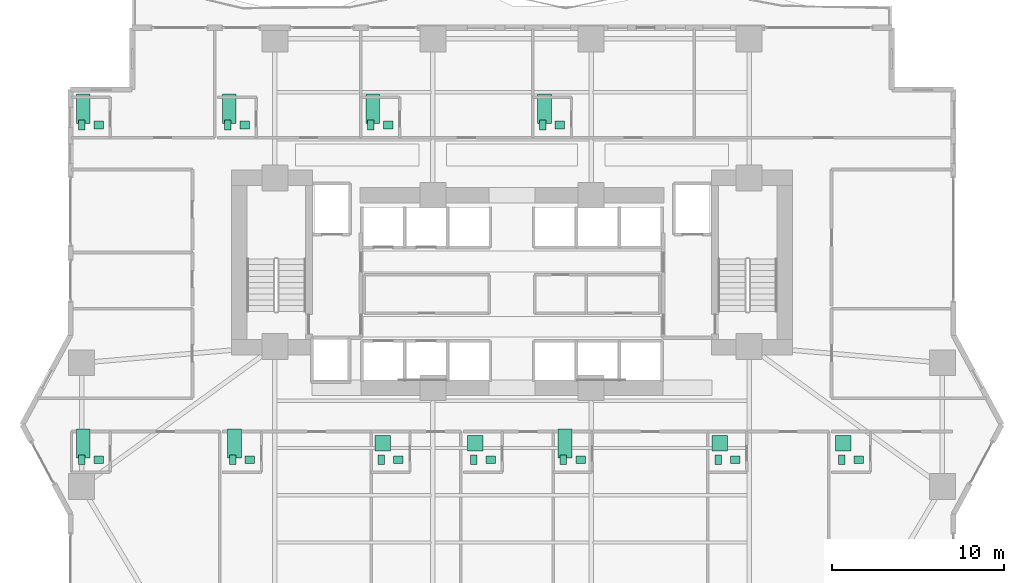
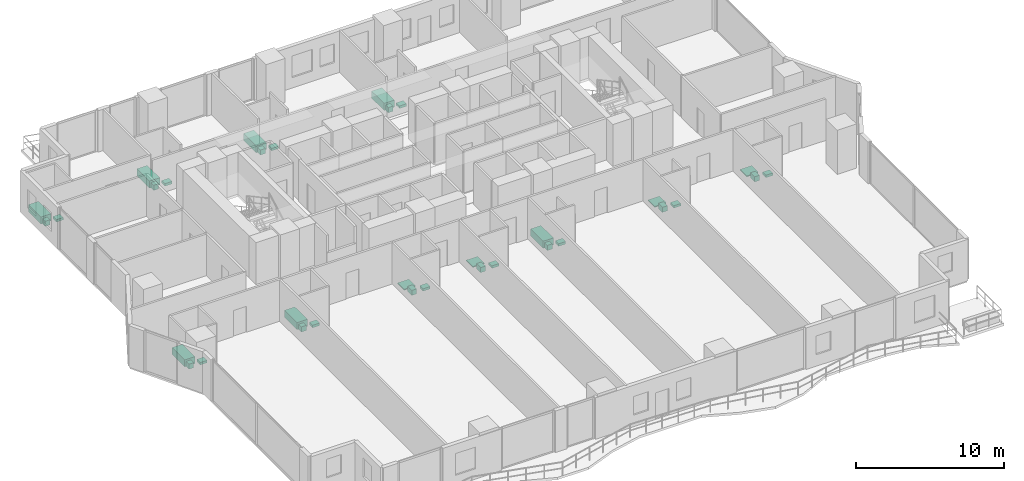
# One storey, part 29 of 29: 33 sanitary terminals.
"""IFC4 building model written with IfcOpenShell, lengths in metres."""

from ifc_helpers import new_model, si_unit, direction, frame, origin, origin_2d, place, context, subcontext, project, spatial, rectangle, extrude, material, type_object, element, save


model = new_model("IFC4")

# Units and contexts
model_context = context("Model", 3, precision=1e-05, world=origin(), true_north=direction((0.0, 1.0)))
body_context = subcontext(model_context, "Body", "Model", "MODEL_VIEW")
ifc_project = project(units=[si_unit("LENGTHUNIT", "METRE"), si_unit("AREAUNIT", "SQUARE_METRE"), si_unit("VOLUMEUNIT", "CUBIC_METRE"), si_unit("PLANEANGLEUNIT", "RADIAN"), si_unit("MASSUNIT", "GRAM", prefix="KILO")], contexts=[model_context])

# Site, building, storey
site_placement = place(None, origin())
site = spatial("IfcSite", under=ifc_project, at=site_placement, CompositionType="ELEMENT")
building_placement = place(site_placement, origin())
building = spatial("IfcBuilding", under=site, at=building_placement, Name="Zuhayl Quay Hotel", CompositionType="ELEMENT")
storey_placement = place(building_placement, frame((0.0, 0.0, 45.85009765625)))
storey = spatial("IfcBuildingStorey", under=building, at=storey_placement, Name="L10", CompositionType="ELEMENT", Elevation=45.85009765625)

# Sanitary terminals
ifc_material = material(Name="Vitreous Porcelain Sanitaryware")
sanitary_terminal_type_1 = type_object("IfcSanitaryTerminalType", Name="SAN_BASIN", PredefinedType="WASHHANDBASIN", material=ifc_material)
for number, where, z_axis, x_axis, name in (
    (1, (-24.050048828125, 17.43994140625, 0.0), (0.0, 0.0, 1.0), (1.0, 0.0, 0.0), "L10 Sanitary Fixture WASHHANDBASIN"),
    (2, (-15.550048828125, 17.43994140625, 0.0), (0.0, 0.0, 1.0), (1.0, 0.0, 0.0), "L10 Sanitary Fixture WASHHANDBASIN"),
    (3, (-7.2099609375, 17.43994140625, 0.0), (0.0, 0.0, 1.0), (1.0, 0.0, 0.0), "L10 Sanitary Fixture WASHHANDBASIN"),
    (4, (2.7900390625, 17.43994140625, 0.0), (0.0, 0.0, 1.0), (1.0, 0.0, 0.0), "L10 Sanitary Fixture WASHHANDBASIN"),
    (5, (-24.050048828125, -2.0400390625, 0.0), (0.0, 0.0, 1.0), (1.0, 0.0, 0.0), "L10 Sanitary Fixture WASHHANDBASIN"),
    (6, (-15.25, -2.0400390625, 0.0), (0.0, 0.0, 1.0), (1.0, 0.0, 0.0), "L10 Sanitary Fixture WASHHANDBASIN"),
    (7, (-6.610107421875, -2.0400390625, 0.0), (0.0, 0.0, 1.0), (1.0, 0.0, 0.0), "L10 Sanitary Fixture WASHHANDBASIN"),
    (8, (-1.22998046875, -2.0400390625, 0.0), (0.0, 0.0, 1.0), (1.0, 0.0, 0.0), "L10 Sanitary Fixture WASHHANDBASIN"),
    (9, (3.989990234375, -2.0400390625, 0.0), (0.0, 0.0, 1.0), (1.0, 0.0, 0.0), "L10 Sanitary Fixture WASHHANDBASIN"),
    (10, (12.989990234375, -2.0400390625, 0.0), (0.0, 0.0, 1.0), (1.0, 0.0, 0.0), "L10 Sanitary Fixture WASHHANDBASIN"),
    (11, (20.18994140625, -2.0400390625, 0.0), (0.0, 0.0, 1.0), (1.0, 0.0, 0.0), "L10 Sanitary Fixture WASHHANDBASIN"),
):
    element("IfcSanitaryTerminal", number, at=place(storey_placement, frame(where, z_axis=z_axis, x_axis=x_axis)), inside=storey, type_object=sanitary_terminal_type_1, Name=name, PredefinedType="WASHHANDBASIN", context=body_context, shape_type="SweptSolid", body=[
        extrude(rectangle(XDim=0.550048828125, YDim=0.449951171875, at=origin_2d()), origin(), (0.0, 0.0, 1.0), 0.199951171875),
    ])
sanitary_terminal_type_2 = type_object("IfcSanitaryTerminalType", Name="SAN_BATH", PredefinedType="BATH", material=ifc_material)
for number, where, z_axis, x_axis, name in (
    (12, (-24.949951171875, 18.389892578125, -0.000244140625), (0.0, 0.0, 1.0), (1.0, 0.0, 0.0), "L10 Sanitary Fixture BATH"),
    (13, (-16.449951171875, 18.389892578125, -0.000244140625), (0.0, 0.0, 1.0), (1.0, 0.0, 0.0), "L10 Sanitary Fixture BATH"),
    (14, (-8.110107421875, 18.389892578125, -0.000244140625), (0.0, 0.0, 1.0), (1.0, 0.0, 0.0), "L10 Sanitary Fixture BATH"),
    (15, (1.889892578125, 18.389892578125, -0.000244140625), (0.0, 0.0, 1.0), (1.0, 0.0, 0.0), "L10 Sanitary Fixture BATH"),
    (16, (-24.949951171875, -1.090087890625, -0.000244140625), (0.0, 0.0, 1.0), (1.0, 0.0, 0.0), "L10 Sanitary Fixture BATH"),
    (17, (-16.14990234375, -1.090087890625, -0.000244140625), (0.0, 0.0, 1.0), (1.0, 0.0, 0.0), "L10 Sanitary Fixture BATH"),
    (18, (3.090087890625, -1.090087890625, -0.000244140625), (0.0, 0.0, 1.0), (1.0, 0.0, 0.0), "L10 Sanitary Fixture BATH"),
):
    element("IfcSanitaryTerminal", number, at=place(storey_placement, frame(where, z_axis=z_axis, x_axis=x_axis)), inside=storey, type_object=sanitary_terminal_type_2, Name=name, PredefinedType="BATH", context=body_context, shape_type="SweptSolid", body=[
        extrude(rectangle(XDim=0.800048828125, YDim=1.699951171875, at=origin_2d()), origin(), (0.0, 0.0, 1.0), 0.580078125),
    ])
sanitary_terminal_type_3 = type_object("IfcSanitaryTerminalType", Name="SAN_SHOWER", PredefinedType="SHOWER", material=ifc_material)
for number, where, z_axis, x_axis, name in (
    (19, (-7.510009765625, -1.090087890625, -0.000244140625), (0.0, 0.0, 1.0), (1.0, 0.0, 0.0), "L10 Sanitary Fixture SHOWER"),
    (20, (-2.1298828125, -1.090087890625, -0.000244140625), (0.0, 0.0, 1.0), (1.0, 0.0, 0.0), "L10 Sanitary Fixture SHOWER"),
    (21, (12.090087890625, -1.090087890625, -0.000244140625), (0.0, 0.0, 1.0), (1.0, 0.0, 0.0), "L10 Sanitary Fixture SHOWER"),
    (22, (19.2900390625, -1.090087890625, -0.000244140625), (0.0, 0.0, 1.0), (1.0, 0.0, 0.0), "L10 Sanitary Fixture SHOWER"),
):
    element("IfcSanitaryTerminal", number, at=place(storey_placement, frame(where, z_axis=z_axis, x_axis=x_axis)), inside=storey, type_object=sanitary_terminal_type_3, Name=name, PredefinedType="SHOWER", context=body_context, shape_type="SweptSolid", body=[
        extrude(rectangle(XDim=0.89990234375, YDim=0.89990234375, at=origin_2d()), origin(), (0.0, 0.0, 1.0), 0.080078125),
    ])
sanitary_terminal_type_4 = type_object("IfcSanitaryTerminalType", Name="SAN_WC", PredefinedType="TOILETPAN", material=ifc_material)
for number, where, z_axis, x_axis, name in (
    (23, (-25.050048828125, 17.43994140625, 0.0), (0.0, 0.0, 1.0), (1.0, 0.0, 0.0), "L10 Sanitary Fixture TOILETPAN"),
    (24, (-16.550048828125, 17.43994140625, 0.0), (0.0, 0.0, 1.0), (1.0, 0.0, 0.0), "L10 Sanitary Fixture TOILETPAN"),
    (25, (-8.2099609375, 17.43994140625, 0.0), (0.0, 0.0, 1.0), (1.0, 0.0, 0.0), "L10 Sanitary Fixture TOILETPAN"),
    (26, (1.7900390625, 17.43994140625, 0.0), (0.0, 0.0, 1.0), (1.0, 0.0, 0.0), "L10 Sanitary Fixture TOILETPAN"),
    (27, (-25.050048828125, -2.0400390625, 0.0), (0.0, 0.0, 1.0), (1.0, 0.0, 0.0), "L10 Sanitary Fixture TOILETPAN"),
    (28, (-16.25, -2.0400390625, 0.0), (0.0, 0.0, 1.0), (1.0, 0.0, 0.0), "L10 Sanitary Fixture TOILETPAN"),
    (29, (-7.610107421875, -2.0400390625, 0.0), (0.0, 0.0, 1.0), (1.0, 0.0, 0.0), "L10 Sanitary Fixture TOILETPAN"),
    (30, (-2.22998046875, -2.0400390625, 0.0), (0.0, 0.0, 1.0), (1.0, 0.0, 0.0), "L10 Sanitary Fixture TOILETPAN"),
    (31, (2.989990234375, -2.0400390625, 0.0), (0.0, 0.0, 1.0), (1.0, 0.0, 0.0), "L10 Sanitary Fixture TOILETPAN"),
    (32, (11.989990234375, -2.0400390625, 0.0), (0.0, 0.0, 1.0), (1.0, 0.0, 0.0), "L10 Sanitary Fixture TOILETPAN"),
    (33, (19.18994140625, -2.0400390625, 0.0), (0.0, 0.0, 1.0), (1.0, 0.0, 0.0), "L10 Sanitary Fixture TOILETPAN"),
):
    element("IfcSanitaryTerminal", number, at=place(storey_placement, frame(where, z_axis=z_axis, x_axis=x_axis)), inside=storey, type_object=sanitary_terminal_type_4, Name=name, PredefinedType="TOILETPAN", context=body_context, shape_type="SweptSolid", body=[
        extrude(rectangle(XDim=0.3798828125, YDim=0.56005859375, at=origin_2d()), origin(), (0.0, 0.0, 1.0), 0.419921875),
    ])

save(model, "model.ifc")
